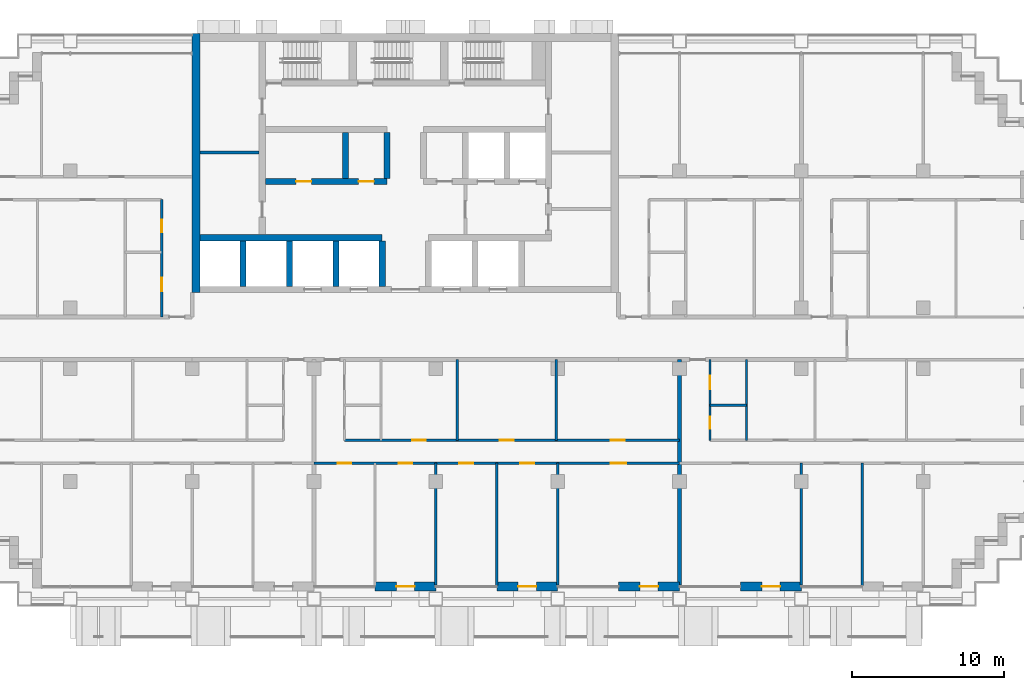
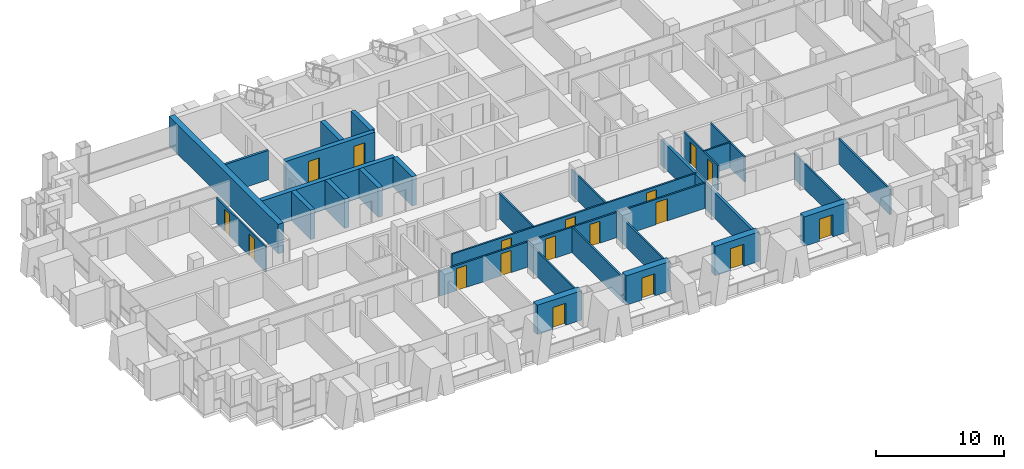
# One storey, part 10 of 18: 28 walls, 18 doors, 18 openings.
"""IFC4 building model written with IfcOpenShell, lengths in metres."""

from ifc_helpers import new_model, si_unit, direction, frame, frame_2d, origin, place, context, subcontext, project, spatial, rectangle, extrude, material, layer, layer_set, type_object, element, fill, save


model = new_model("IFC4")

# Units and contexts
model_context = context("Model", 3, precision=1e-05, world=origin(), true_north=direction((0.0, 1.0)))
body_context = subcontext(model_context, "Body", "Model", "MODEL_VIEW")
ifc_project = project(units=[si_unit("LENGTHUNIT", "METRE"), si_unit("AREAUNIT", "SQUARE_METRE"), si_unit("VOLUMEUNIT", "CUBIC_METRE"), si_unit("PLANEANGLEUNIT", "RADIAN"), si_unit("MASSUNIT", "GRAM", prefix="KILO")], contexts=[model_context])

# Site, building, storey
site_placement = place(None, origin())
site = spatial("IfcSite", under=ifc_project, at=site_placement, CompositionType="ELEMENT")
building_placement = place(site_placement, origin())
building = spatial("IfcBuilding", under=site, at=building_placement, Name="Vidyagriha Tower", CompositionType="ELEMENT")
storey_placement = place(building_placement, frame((0.0, 0.0, 103.10009765625)))
storey = spatial("IfcBuildingStorey", under=building, at=storey_placement, Name="L27", CompositionType="ELEMENT", Elevation=103.10009765625)

# Wall, opening, door
ifc_material_1 = material(Name="Precast concrete C40/50 with brick facing", Category="concrete")
ifc_layer_1 = layer(ifc_material_1, 0.60009765625)
ifc_layer_set_1 = layer_set([ifc_layer_1], Name="Precast concrete C40/50 with brick facing")
wall_type_1 = type_object("IfcWallType", Name="Brick-faced precast wall 600", PredefinedType="STANDARD", material=ifc_layer_set_1)
wall_1_placement = place(storey_placement, frame((-2.0, -16.300048828125, 0.0)))
wall_1 = element("IfcWall", 1, at=wall_1_placement, inside=storey, type_object=wall_type_1, Name="Brick door bay wall L27 R23.7", PredefinedType="STANDARD", context=body_context, shape_type="SweptSolid", body=[
    extrude(rectangle(XDim=4.0, YDim=0.60009765625, at=frame_2d((2.0, 0.0))), origin(), (0.0, 0.0, 1.0), 2.7998046875),
])
opening_1_placement = place(wall_1_placement, frame((1.39990234375, 0.0, 0.0)))
opening_1 = element("IfcOpeningElement", 2, at=opening_1_placement, cuts=wall_1, Name="Opening D27-72", PredefinedType="OPENING", context=body_context, shape_type="SweptSolid", body=[
    extrude(rectangle(XDim=1.199951171875, YDim=2.10009765625, at=frame_2d((0.60009765625, 1.050048828125))), frame((0.0, 0.31005859375, 0.0), z_axis=(0.0, -1.0, 0.0), x_axis=(1.0, 0.0, 0.0)), (0.0, 0.0, 1.0), 0.6201171875),
])
ifc_material_2 = material(Name="Aluminium framed glazed sliding door", Category="aluminium")
door_type_1 = type_object("IfcDoorType", Name="Balcony sliding door 1200x2100", OperationType="NOTDEFINED", PredefinedType="DOOR", material=ifc_material_2)
door_1_placement = place(opening_1_placement, origin())
door_1 = element("IfcDoor", 3, at=door_1_placement, inside=storey, type_object=door_type_1, Name="Door D27-72", OperationType="SLIDING_TO_LEFT", OverallHeight=2.10009765625, OverallWidth=1.199951171875, PredefinedType="DOOR", context=body_context, shape_type="SweptSolid", body=[
    extrude(rectangle(XDim=1.199951171875, YDim=2.10009765625, at=frame_2d((0.60009765625, 1.050048828125))), frame((0.0, 0.02490234375, 0.0), z_axis=(0.0, -1.0, 0.0), x_axis=(1.0, 0.0, 0.0)), (0.0, 0.0, 1.0), 0.050048828125),
])
fill(opening_1, door_1)

wall_2_placement = place(storey_placement, frame((6.0, -16.300048828125, 0.0)))
wall_2 = element("IfcWall", 4, at=wall_2_placement, inside=storey, type_object=wall_type_1, Name="Brick door bay wall L27 R23.9", PredefinedType="STANDARD", context=body_context, shape_type="SweptSolid", body=[
    extrude(rectangle(XDim=4.0, YDim=0.60009765625, at=frame_2d((2.0, 0.0))), origin(), (0.0, 0.0, 1.0), 2.7998046875),
])
opening_2_placement = place(wall_2_placement, frame((1.39990234375, 0.0, 0.0)))
opening_2 = element("IfcOpeningElement", 5, at=opening_2_placement, cuts=wall_2, Name="Opening D27-73", PredefinedType="OPENING", context=body_context, shape_type="SweptSolid", body=[
    extrude(rectangle(XDim=1.199951171875, YDim=2.10009765625, at=frame_2d((0.60009765625, 1.050048828125))), frame((0.0, 0.31005859375, 0.0), z_axis=(0.0, -1.0, 0.0), x_axis=(1.0, 0.0, 0.0)), (0.0, 0.0, 1.0), 0.6201171875),
])
door_2_placement = place(opening_2_placement, origin())
door_2 = element("IfcDoor", 6, at=door_2_placement, inside=storey, type_object=door_type_1, Name="Door D27-73", OperationType="SLIDING_TO_LEFT", OverallHeight=2.10009765625, OverallWidth=1.199951171875, PredefinedType="DOOR", context=body_context, shape_type="SweptSolid", body=[
    extrude(rectangle(XDim=1.199951171875, YDim=2.10009765625, at=frame_2d((0.60009765625, 1.050048828125))), frame((0.0, 0.02490234375, 0.0), z_axis=(0.0, -1.0, 0.0), x_axis=(1.0, 0.0, 0.0)), (0.0, 0.0, 1.0), 0.050048828125),
])
fill(opening_2, door_2)

wall_3_placement = place(storey_placement, frame((14.0, -16.300048828125, 0.0)))
wall_3 = element("IfcWall", 7, at=wall_3_placement, inside=storey, type_object=wall_type_1, Name="Brick door bay wall L27 R23.11", PredefinedType="STANDARD", context=body_context, shape_type="SweptSolid", body=[
    extrude(rectangle(XDim=4.0, YDim=0.60009765625, at=frame_2d((2.0, 0.0))), origin(), (0.0, 0.0, 1.0), 2.7998046875),
])
opening_3_placement = place(wall_3_placement, frame((1.39990234375, 0.0, 0.0)))
opening_3 = element("IfcOpeningElement", 8, at=opening_3_placement, cuts=wall_3, Name="Opening D27-74", PredefinedType="OPENING", context=body_context, shape_type="SweptSolid", body=[
    extrude(rectangle(XDim=1.199951171875, YDim=2.10009765625, at=frame_2d((0.60009765625, 1.050048828125))), frame((0.0, 0.31005859375, 0.0), z_axis=(0.0, -1.0, 0.0), x_axis=(1.0, 0.0, 0.0)), (0.0, 0.0, 1.0), 0.6201171875),
])
door_3_placement = place(opening_3_placement, origin())
door_3 = element("IfcDoor", 9, at=door_3_placement, inside=storey, type_object=door_type_1, Name="Door D27-74", OperationType="SLIDING_TO_LEFT", OverallHeight=2.10009765625, OverallWidth=1.199951171875, PredefinedType="DOOR", context=body_context, shape_type="SweptSolid", body=[
    extrude(rectangle(XDim=1.199951171875, YDim=2.10009765625, at=frame_2d((0.60009765625, 1.050048828125))), frame((0.0, 0.02490234375, 0.0), z_axis=(0.0, -1.0, 0.0), x_axis=(1.0, 0.0, 0.0)), (0.0, 0.0, 1.0), 0.050048828125),
])
fill(opening_3, door_3)

wall_4_placement = place(storey_placement, frame((22.0, -16.300048828125, 0.0)))
wall_4 = element("IfcWall", 10, at=wall_4_placement, inside=storey, type_object=wall_type_1, Name="Brick door bay wall L27 R23.13", PredefinedType="STANDARD", context=body_context, shape_type="SweptSolid", body=[
    extrude(rectangle(XDim=4.0, YDim=0.60009765625, at=frame_2d((2.0, 0.0))), origin(), (0.0, 0.0, 1.0), 2.7998046875),
])
opening_4_placement = place(wall_4_placement, frame((1.39990234375, 0.0, 0.0)))
opening_4 = element("IfcOpeningElement", 11, at=opening_4_placement, cuts=wall_4, Name="Opening D27-75", PredefinedType="OPENING", context=body_context, shape_type="SweptSolid", body=[
    extrude(rectangle(XDim=1.199951171875, YDim=2.10009765625, at=frame_2d((0.60009765625, 1.050048828125))), frame((0.0, 0.31005859375, 0.0), z_axis=(0.0, -1.0, 0.0), x_axis=(1.0, 0.0, 0.0)), (0.0, 0.0, 1.0), 0.6201171875),
])
door_4_placement = place(opening_4_placement, origin())
door_4 = element("IfcDoor", 12, at=door_4_placement, inside=storey, type_object=door_type_1, Name="Door D27-75", OperationType="SLIDING_TO_LEFT", OverallHeight=2.10009765625, OverallWidth=1.199951171875, PredefinedType="DOOR", context=body_context, shape_type="SweptSolid", body=[
    extrude(rectangle(XDim=1.199951171875, YDim=2.10009765625, at=frame_2d((0.60009765625, 1.050048828125))), frame((0.0, 0.02490234375, 0.0), z_axis=(0.0, -1.0, 0.0), x_axis=(1.0, 0.0, 0.0)), (0.0, 0.0, 1.0), 0.050048828125),
])
fill(opening_4, door_4)

# Walls
ifc_material_3 = material(Name="Concrete C60/75", Category="concrete")
ifc_layer_2 = layer(ifc_material_3, 0.39990234375)
ifc_layer_set_2 = layer_set([ifc_layer_2], Name="Concrete C60/75")
wall_type_2 = type_object("IfcWallType", Name="Core shear wall 400 mm", PredefinedType="SHEAR", material=ifc_layer_set_2)
wall_5_placement = place(storey_placement, frame((-13.5, 6.60009765625, 0.0)))
element("IfcWall", 13, at=wall_5_placement, inside=storey, type_object=wall_type_2, Name="Core lobby south wall west", PredefinedType="SHEAR", context=body_context, shape_type="SweptSolid", body=[
    extrude(rectangle(XDim=11.977783203125, YDim=0.39990234375, at=frame_2d((5.98876953125, 0.0))), origin(), (0.0, 0.0, 1.0), 2.7998046875),
])
for number, where, z_axis, x_axis, name in (
    (14, (-10.655517578125, 3.39990234375, 0.0), (0.0, 0.0, 1.0), (0.0, 1.0, 0.0), "Core bay wall S1"),
    (15, (-7.611083984375, 3.39990234375, 0.0), (0.0, 0.0, 1.0), (0.0, 1.0, 0.0), "Core bay wall S2"),
    (16, (-4.566650390625, 3.39990234375, 0.0), (0.0, 0.0, 1.0), (0.0, 1.0, 0.0), "Core bay wall S3"),
    (17, (-1.522216796875, 3.39990234375, 0.0), (0.0, 0.0, 1.0), (0.0, 1.0, 0.0), "Core bay wall S4"),
):
    element("IfcWall", number, at=place(storey_placement, frame(where, z_axis=z_axis, x_axis=x_axis)), inside=storey, type_object=wall_type_2, Name=name, PredefinedType="SHEAR", context=body_context, shape_type="SweptSolid", body=[
        extrude(rectangle(XDim=3.0, YDim=0.39990234375, at=frame_2d((1.5, 0.0))), origin(), (0.0, 0.0, 1.0), 2.7998046875),
    ])

# Wall, openings, doors
wall_6_placement = place(storey_placement, frame((-9.199951171875, 10.300048828125, 0.0)))
wall_6 = element("IfcWall", 18, at=wall_6_placement, inside=storey, type_object=wall_type_2, Name="Core row N front wall", PredefinedType="SHEAR", context=body_context, shape_type="SweptSolid", body=[
    extrude(rectangle(XDim=8.0, YDim=0.39990234375, at=frame_2d((4.0, 0.0))), origin(), (0.0, 0.0, 1.0), 2.7998046875),
])
opening_5_placement = place(wall_6_placement, frame((2.033203125, 0.0, 0.0)))
opening_5 = element("IfcOpeningElement", 19, at=opening_5_placement, cuts=wall_6, Name="Opening D27-02", PredefinedType="OPENING", context=body_context, shape_type="SweptSolid", body=[
    extrude(rectangle(XDim=1.0, YDim=2.10009765625, at=frame_2d((0.5, 1.050048828125))), frame((0.0, 0.2099609375, 0.0), z_axis=(0.0, -1.0, 0.0), x_axis=(1.0, 0.0, 0.0)), (0.0, 0.0, 1.0), 0.419921875),
])
opening_6_placement = place(wall_6_placement, frame((6.13330078125, 0.0, 0.0)))
opening_6 = element("IfcOpeningElement", 20, at=opening_6_placement, cuts=wall_6, Name="Opening D27-03", PredefinedType="OPENING", context=body_context, shape_type="SweptSolid", body=[
    extrude(rectangle(XDim=1.0, YDim=2.10009765625, at=frame_2d((0.5, 1.050048828125))), frame((0.0, 0.2099609375, 0.0), z_axis=(0.0, -1.0, 0.0), x_axis=(1.0, 0.0, 0.0)), (0.0, 0.0, 1.0), 0.419921875),
])
ifc_material_4 = material(Name="Hollow metal door leaf")
door_type_2 = type_object("IfcDoorType", Name="Core room door 1000 x 2100 mm EI 60", OperationType="NOTDEFINED", PredefinedType="DOOR", material=ifc_material_4)
door_5_placement = place(opening_5_placement, frame((1.0, 0.0, 0.0), z_axis=(0.0, 0.0, 1.0), x_axis=(-1.0, 0.0, 0.0)))
door_5 = element("IfcDoor", 21, at=door_5_placement, inside=storey, type_object=door_type_2, Name="Door Storage Room 27.14", OperationType="SINGLE_SWING_RIGHT", OverallHeight=2.10009765625, OverallWidth=1.0, PredefinedType="DOOR", context=body_context, shape_type="SweptSolid", body=[
    extrude(rectangle(XDim=1.0, YDim=2.10009765625, at=frame_2d((0.5, 1.050048828125))), frame((0.0, 0.02490234375, 0.0), z_axis=(0.0, -1.0, 0.0), x_axis=(1.0, 0.0, 0.0)), (0.0, 0.0, 1.0), 0.050048828125),
])
fill(opening_5, door_5)
door_6_placement = place(opening_6_placement, frame((1.0, 0.0, 0.0), z_axis=(0.0, 0.0, 1.0), x_axis=(-1.0, 0.0, 0.0)))
door_6 = element("IfcDoor", 22, at=door_6_placement, inside=storey, type_object=door_type_2, Name="Door Communications Room 27.15", OperationType="SINGLE_SWING_LEFT", OverallHeight=2.10009765625, OverallWidth=1.0, PredefinedType="DOOR", context=body_context, shape_type="SweptSolid", body=[
    extrude(rectangle(XDim=1.0, YDim=2.10009765625, at=frame_2d((0.5, 1.050048828125))), frame((0.0, 0.02490234375, 0.0), z_axis=(0.0, -1.0, 0.0), x_axis=(1.0, 0.0, 0.0)), (0.0, 0.0, 1.0), 0.050048828125),
])
fill(opening_6, door_6)

# Walls
for number, where, z_axis, x_axis, name in (
    (23, (-3.933349609375, 10.5, 0.0), (0.0, 0.0, 1.0), (0.0, 1.0, 0.0), "Core bay wall N2"),
    (24, (-1.199951171875, 10.5, 0.0), (0.0, 0.0, 1.0), (0.0, 1.0, 0.0), "Core bay wall N3"),
):
    element("IfcWall", number, at=place(storey_placement, frame(where, z_axis=z_axis, x_axis=x_axis)), inside=storey, type_object=wall_type_2, Name=name, PredefinedType="SHEAR", context=body_context, shape_type="SweptSolid", body=[
        extrude(rectangle(XDim=3.0, YDim=0.39990234375, at=frame_2d((1.5, 0.0))), origin(), (0.0, 0.0, 1.0), 2.7998046875),
    ])
ifc_material_5 = material(Name="Concrete C60/75", Category="concrete")
ifc_layer_3 = layer(ifc_material_5, 0.5)
ifc_layer_set_3 = layer_set([ifc_layer_3], Name="Concrete C60/75")
wall_type_3 = type_object("IfcWallType", Name="Core shear wall 500 mm", PredefinedType="SHEAR", material=ifc_layer_set_3)
wall_7_placement = place(storey_placement, frame((-13.75, 3.0, 0.0), z_axis=(0.0, 0.0, 1.0), x_axis=(0.0, 1.0, 0.0)))
element("IfcWall", 25, at=wall_7_placement, inside=storey, type_object=wall_type_3, Name="Core west wall", PredefinedType="SHEAR", context=body_context, shape_type="SweptSolid", body=[
    extrude(rectangle(XDim=17.0, YDim=0.5, at=frame_2d((8.5, 0.0))), origin(), (0.0, 0.0, 1.0), 2.7998046875),
])
ifc_material_6 = material(Name="Fired clay brick masonry", Category="masonry")
ifc_layer_4 = layer(ifc_material_6, 0.25)
ifc_layer_set_4 = layer_set([ifc_layer_4], Name="Fired clay brick masonry")
wall_type_4 = type_object("IfcWallType", Name="Fired clay brick demising wall 250", PredefinedType="PARTITIONING", material=ifc_layer_set_4)
wall_8_placement = place(storey_placement, frame((18.0, -1.39990234375, 0.0), z_axis=(0.0, 0.0, 1.0), x_axis=(0.0, -1.0, 0.0)))
element("IfcWall", 26, at=wall_8_placement, inside=storey, type_object=wall_type_4, Name="Wall all-L27-w066", PredefinedType="PARTITIONING", context=body_context, shape_type="SweptSolid", body=[
    extrude(rectangle(XDim=14.81005859375, YDim=0.25, at=frame_2d((7.405029296875, 0.0))), origin(), (0.0, 0.0, 1.0), 2.39990234375),
])
ifc_material_7 = material(Name="Gypsum board partition")
ifc_layer_5 = layer(ifc_material_7, 0.14990234375)
ifc_layer_set_5 = layer_set([ifc_layer_5], Name="Gypsum board partition")
wall_type_5 = type_object("IfcWallType", Name="Gypsum board partition 150", PredefinedType="PARTITIONING", material=ifc_layer_set_5)
for number, where, z_axis, x_axis, name in (
    (27, (3.39990234375, -1.39990234375, 0.0), (0.0, 0.0, 1.0), (0.0, -1.0, 0.0), "Wall all-L27-w028"),
    (28, (9.89990234375, -1.39990234375, 0.0), (0.0, 0.0, 1.0), (0.0, -1.0, 0.0), "Wall all-L27-w029"),
):
    element("IfcWall", number, at=place(storey_placement, frame(where, z_axis=z_axis, x_axis=x_axis)), inside=storey, type_object=wall_type_5, Name=name, PredefinedType="PARTITIONING", context=body_context, shape_type="SweptSolid", body=[
        extrude(rectangle(XDim=5.300048828125, YDim=0.14990234375, at=frame_2d((2.64990234375, 0.0))), origin(), (0.0, 0.0, 1.0), 2.39990234375),
    ])

# Wall, openings, doors
wall_9_placement = place(storey_placement, frame((-4.0, -6.699951171875, 0.0)))
wall_9 = element("IfcWall", 29, at=wall_9_placement, inside=storey, type_object=wall_type_5, Name="Wall all-L27-w030", PredefinedType="PARTITIONING", context=body_context, shape_type="SweptSolid", body=[
    extrude(rectangle(XDim=22.0, YDim=0.14990234375, at=frame_2d((11.0, 0.0))), origin(), (0.0, 0.0, 1.0), 2.39990234375),
])
opening_7_placement = place(wall_9_placement, frame((4.449951171875, 0.0, 0.0)))
opening_7 = element("IfcOpeningElement", 30, at=opening_7_placement, cuts=wall_9, Name="Opening D27-27", PredefinedType="OPENING", context=body_context, shape_type="SweptSolid", body=[
    extrude(rectangle(XDim=0.89990234375, YDim=2.10009765625, at=frame_2d((0.449951171875, 1.050048828125))), frame((0.0, 0.0849609375, 0.0), z_axis=(0.0, -1.0, 0.0), x_axis=(1.0, 0.0, 0.0)), (0.0, 0.0, 1.0), 0.169921875),
])
opening_8_placement = place(wall_9_placement, frame((10.199951171875, 0.0, 0.0)))
opening_8 = element("IfcOpeningElement", 31, at=opening_8_placement, cuts=wall_9, Name="Opening D27-28", PredefinedType="OPENING", context=body_context, shape_type="SweptSolid", body=[
    extrude(rectangle(XDim=0.89990234375, YDim=2.10009765625, at=frame_2d((0.449951171875, 1.050048828125))), frame((0.0, 0.0849609375, 0.0), z_axis=(0.0, -1.0, 0.0), x_axis=(1.0, 0.0, 0.0)), (0.0, 0.0, 1.0), 0.169921875),
])
opening_9_placement = place(wall_9_placement, frame((17.5, 0.0, 0.0)))
opening_9 = element("IfcOpeningElement", 32, at=opening_9_placement, cuts=wall_9, Name="Opening D27-29", PredefinedType="OPENING", context=body_context, shape_type="SweptSolid", body=[
    extrude(rectangle(XDim=0.89990234375, YDim=2.10009765625, at=frame_2d((0.449951171875, 1.050048828125))), frame((0.0, 0.0849609375, 0.0), z_axis=(0.0, -1.0, 0.0), x_axis=(1.0, 0.0, 0.0)), (0.0, 0.0, 1.0), 0.169921875),
])
ifc_material_8 = material(Name="Timber door leaf", Category="wood")
door_type_3 = type_object("IfcDoorType", Name="Room door 900x2100", OperationType="NOTDEFINED", PredefinedType="DOOR", material=ifc_material_8)
door_7_placement = place(opening_7_placement, origin())
door_7 = element("IfcDoor", 33, at=door_7_placement, inside=storey, type_object=door_type_3, Name="Door D27-27", OperationType="SINGLE_SWING_RIGHT", OverallHeight=2.10009765625, OverallWidth=0.89990234375, PredefinedType="DOOR", context=body_context, shape_type="SweptSolid", body=[
    extrude(rectangle(XDim=0.89990234375, YDim=2.10009765625, at=frame_2d((0.449951171875, 1.050048828125))), frame((0.0, 0.02490234375, 0.0), z_axis=(0.0, -1.0, 0.0), x_axis=(1.0, 0.0, 0.0)), (0.0, 0.0, 1.0), 0.050048828125),
])
fill(opening_7, door_7)
door_8_placement = place(opening_8_placement, origin())
door_8 = element("IfcDoor", 34, at=door_8_placement, inside=storey, type_object=door_type_3, Name="Door D27-28", OperationType="SINGLE_SWING_RIGHT", OverallHeight=2.10009765625, OverallWidth=0.89990234375, PredefinedType="DOOR", context=body_context, shape_type="SweptSolid", body=[
    extrude(rectangle(XDim=0.89990234375, YDim=2.10009765625, at=frame_2d((0.449951171875, 1.050048828125))), frame((0.0, 0.02490234375, 0.0), z_axis=(0.0, -1.0, 0.0), x_axis=(1.0, 0.0, 0.0)), (0.0, 0.0, 1.0), 0.050048828125),
])
fill(opening_8, door_8)
door_9_placement = place(opening_9_placement, origin())
door_9 = element("IfcDoor", 35, at=door_9_placement, inside=storey, type_object=door_type_3, Name="Door D27-29", OperationType="SINGLE_SWING_LEFT", OverallHeight=2.10009765625, OverallWidth=0.89990234375, PredefinedType="DOOR", context=body_context, shape_type="SweptSolid", body=[
    extrude(rectangle(XDim=0.89990234375, YDim=2.10009765625, at=frame_2d((0.449951171875, 1.050048828125))), frame((0.0, 0.02490234375, 0.0), z_axis=(0.0, -1.0, 0.0), x_axis=(1.0, 0.0, 0.0)), (0.0, 0.0, 1.0), 0.050048828125),
])
fill(opening_9, door_9)

wall_10_placement = place(storey_placement, frame((18.0, -8.199951171875, 0.0), z_axis=(0.0, 0.0, 1.0), x_axis=(-1.0, 0.0, 0.0)))
wall_10 = element("IfcWall", 36, at=wall_10_placement, inside=storey, type_object=wall_type_5, Name="Wall all-L27-w034", PredefinedType="PARTITIONING", context=body_context, shape_type="SweptSolid", body=[
    extrude(rectangle(XDim=24.0, YDim=0.14990234375, at=frame_2d((12.0, 0.0))), origin(), (0.0, 0.0, 1.0), 2.39990234375),
])
opening_10_placement = place(wall_10_placement, frame((21.550048828125, 0.0, 0.0)))
opening_10 = element("IfcOpeningElement", 37, at=opening_10_placement, cuts=wall_10, Name="Opening D27-30", PredefinedType="OPENING", context=body_context, shape_type="SweptSolid", body=[
    extrude(rectangle(XDim=0.89990234375, YDim=2.10009765625, at=frame_2d((0.449951171875, 1.050048828125))), frame((0.0, 0.0849609375, 0.0), z_axis=(0.0, -1.0, 0.0), x_axis=(1.0, 0.0, 0.0)), (0.0, 0.0, 1.0), 0.169921875),
])
opening_11_placement = place(wall_10_placement, frame((17.550048828125, 0.0, 0.0)))
opening_11 = element("IfcOpeningElement", 38, at=opening_11_placement, cuts=wall_10, Name="Opening D27-31", PredefinedType="OPENING", context=body_context, shape_type="SweptSolid", body=[
    extrude(rectangle(XDim=0.89990234375, YDim=2.10009765625, at=frame_2d((0.449951171875, 1.050048828125))), frame((0.0, 0.0849609375, 0.0), z_axis=(0.0, -1.0, 0.0), x_axis=(1.0, 0.0, 0.0)), (0.0, 0.0, 1.0), 0.169921875),
])
opening_12_placement = place(wall_10_placement, frame((13.550048828125, 0.0, 0.0)))
opening_12 = element("IfcOpeningElement", 39, at=opening_12_placement, cuts=wall_10, Name="Opening D27-32", PredefinedType="OPENING", context=body_context, shape_type="SweptSolid", body=[
    extrude(rectangle(XDim=0.89990234375, YDim=2.10009765625, at=frame_2d((0.449951171875, 1.050048828125))), frame((0.0, 0.0849609375, 0.0), z_axis=(0.0, -1.0, 0.0), x_axis=(1.0, 0.0, 0.0)), (0.0, 0.0, 1.0), 0.169921875),
])
opening_13_placement = place(wall_10_placement, frame((9.550048828125, 0.0, 0.0)))
opening_13 = element("IfcOpeningElement", 40, at=opening_13_placement, cuts=wall_10, Name="Opening D27-33", PredefinedType="OPENING", context=body_context, shape_type="SweptSolid", body=[
    extrude(rectangle(XDim=0.89990234375, YDim=2.10009765625, at=frame_2d((0.449951171875, 1.050048828125))), frame((0.0, 0.0849609375, 0.0), z_axis=(0.0, -1.0, 0.0), x_axis=(1.0, 0.0, 0.0)), (0.0, 0.0, 1.0), 0.169921875),
])
opening_14_placement = place(wall_10_placement, frame((3.5, 0.0, 0.0)))
opening_14 = element("IfcOpeningElement", 41, at=opening_14_placement, cuts=wall_10, Name="Opening D27-34", PredefinedType="OPENING", context=body_context, shape_type="SweptSolid", body=[
    extrude(rectangle(XDim=1.0, YDim=2.10009765625, at=frame_2d((0.5, 1.050048828125))), frame((0.0, 0.0849609375, 0.0), z_axis=(0.0, -1.0, 0.0), x_axis=(1.0, 0.0, 0.0)), (0.0, 0.0, 1.0), 0.169921875),
])
ifc_material_9 = material(Name="Timber door leaf", Category="wood")
door_type_4 = type_object("IfcDoorType", Name="Room door 1000x2100", OperationType="NOTDEFINED", PredefinedType="DOOR", material=ifc_material_9)
door_10_placement = place(opening_14_placement, origin())
door_10 = element("IfcDoor", 42, at=door_10_placement, inside=storey, type_object=door_type_4, Name="Door D27-34", OperationType="SINGLE_SWING_RIGHT", OverallHeight=2.10009765625, OverallWidth=1.0, PredefinedType="DOOR", context=body_context, shape_type="SweptSolid", body=[
    extrude(rectangle(XDim=1.0, YDim=2.10009765625, at=frame_2d((0.5, 1.050048828125))), frame((0.0, 0.02490234375, 0.0), z_axis=(0.0, -1.0, 0.0), x_axis=(1.0, 0.0, 0.0)), (0.0, 0.0, 1.0), 0.050048828125),
])
fill(opening_14, door_10)
door_11_placement = place(opening_10_placement, origin())
door_11 = element("IfcDoor", 43, at=door_11_placement, inside=storey, type_object=door_type_3, Name="Door D27-30", OperationType="SINGLE_SWING_RIGHT", OverallHeight=2.10009765625, OverallWidth=0.89990234375, PredefinedType="DOOR", context=body_context, shape_type="SweptSolid", body=[
    extrude(rectangle(XDim=0.89990234375, YDim=2.10009765625, at=frame_2d((0.449951171875, 1.050048828125))), frame((0.0, 0.02490234375, 0.0), z_axis=(0.0, -1.0, 0.0), x_axis=(1.0, 0.0, 0.0)), (0.0, 0.0, 1.0), 0.050048828125),
])
fill(opening_10, door_11)
door_12_placement = place(opening_11_placement, origin())
door_12 = element("IfcDoor", 44, at=door_12_placement, inside=storey, type_object=door_type_3, Name="Door D27-31", OperationType="SINGLE_SWING_RIGHT", OverallHeight=2.10009765625, OverallWidth=0.89990234375, PredefinedType="DOOR", context=body_context, shape_type="SweptSolid", body=[
    extrude(rectangle(XDim=0.89990234375, YDim=2.10009765625, at=frame_2d((0.449951171875, 1.050048828125))), frame((0.0, 0.02490234375, 0.0), z_axis=(0.0, -1.0, 0.0), x_axis=(1.0, 0.0, 0.0)), (0.0, 0.0, 1.0), 0.050048828125),
])
fill(opening_11, door_12)
door_13_placement = place(opening_12_placement, origin())
door_13 = element("IfcDoor", 45, at=door_13_placement, inside=storey, type_object=door_type_3, Name="Door D27-32", OperationType="SINGLE_SWING_RIGHT", OverallHeight=2.10009765625, OverallWidth=0.89990234375, PredefinedType="DOOR", context=body_context, shape_type="SweptSolid", body=[
    extrude(rectangle(XDim=0.89990234375, YDim=2.10009765625, at=frame_2d((0.449951171875, 1.050048828125))), frame((0.0, 0.02490234375, 0.0), z_axis=(0.0, -1.0, 0.0), x_axis=(1.0, 0.0, 0.0)), (0.0, 0.0, 1.0), 0.050048828125),
])
fill(opening_12, door_13)
door_14_placement = place(opening_13_placement, origin())
door_14 = element("IfcDoor", 46, at=door_14_placement, inside=storey, type_object=door_type_3, Name="Door D27-33", OperationType="SINGLE_SWING_RIGHT", OverallHeight=2.10009765625, OverallWidth=0.89990234375, PredefinedType="DOOR", context=body_context, shape_type="SweptSolid", body=[
    extrude(rectangle(XDim=0.89990234375, YDim=2.10009765625, at=frame_2d((0.449951171875, 1.050048828125))), frame((0.0, 0.02490234375, 0.0), z_axis=(0.0, -1.0, 0.0), x_axis=(1.0, 0.0, 0.0)), (0.0, 0.0, 1.0), 0.050048828125),
])
fill(opening_13, door_14)

# Walls
wall_11_placement = place(storey_placement, frame((2.0, -8.199951171875, 0.0), z_axis=(0.0, 0.0, 1.0), x_axis=(0.0, -1.0, 0.0)))
element("IfcWall", 47, at=wall_11_placement, inside=storey, type_object=wall_type_5, Name="Wall all-L27-w041", PredefinedType="PARTITIONING", context=body_context, shape_type="SweptSolid", body=[
    extrude(rectangle(XDim=8.010009765625, YDim=0.14990234375, at=frame_2d((4.0048828125, 0.0))), origin(), (0.0, 0.0, 1.0), 2.39990234375),
])
wall_12_placement = place(storey_placement, frame((6.0, -8.199951171875, 0.0), z_axis=(0.0, 0.0, 1.0), x_axis=(0.0, -1.0, 0.0)))
element("IfcWall", 48, at=wall_12_placement, inside=storey, type_object=wall_type_5, Name="Wall all-L27-w042", PredefinedType="PARTITIONING", context=body_context, shape_type="SweptSolid", body=[
    extrude(rectangle(XDim=8.02099609375, YDim=0.14990234375, at=frame_2d((4.010498046875, 0.0))), origin(), (0.0, 0.0, 1.0), 2.39990234375),
])
wall_13_placement = place(storey_placement, frame((10.0, -8.199951171875, 0.0), z_axis=(0.0, 0.0, 1.0), x_axis=(0.0, -1.0, 0.0)))
element("IfcWall", 49, at=wall_13_placement, inside=storey, type_object=wall_type_5, Name="Wall all-L27-w043", PredefinedType="PARTITIONING", context=body_context, shape_type="SweptSolid", body=[
    extrude(rectangle(XDim=8.010009765625, YDim=0.14990234375, at=frame_2d((4.0048828125, 0.0))), origin(), (0.0, 0.0, 1.0), 2.39990234375),
])
wall_14_placement = place(storey_placement, frame((22.39990234375, -4.39990234375, 0.0), z_axis=(0.0, 0.0, 1.0), x_axis=(-1.0, 0.0, 0.0)))
element("IfcWall", 50, at=wall_14_placement, inside=storey, type_object=wall_type_5, Name="Wall all-L27-w049", PredefinedType="PARTITIONING", context=body_context, shape_type="SweptSolid", body=[
    extrude(rectangle(XDim=2.39990234375, YDim=0.14990234375, at=frame_2d((1.199951171875, 0.0))), origin(), (0.0, 0.0, 1.0), 2.39990234375),
])
wall_15_placement = place(storey_placement, frame((22.39990234375, -1.39990234375, 0.0), z_axis=(0.0, 0.0, 1.0), x_axis=(0.0, -1.0, 0.0)))
element("IfcWall", 51, at=wall_15_placement, inside=storey, type_object=wall_type_5, Name="Wall all-L27-w050", PredefinedType="PARTITIONING", context=body_context, shape_type="SweptSolid", body=[
    extrude(rectangle(XDim=5.300048828125, YDim=0.14990234375, at=frame_2d((2.64990234375, 0.0))), origin(), (0.0, 0.0, 1.0), 2.39990234375),
])
wall_16_placement = place(storey_placement, frame((26.0, -8.199951171875, 0.0), z_axis=(0.0, 0.0, 1.0), x_axis=(0.0, -1.0, 0.0)))
element("IfcWall", 52, at=wall_16_placement, inside=storey, type_object=wall_type_5, Name="Wall all-L27-w062", PredefinedType="PARTITIONING", context=body_context, shape_type="SweptSolid", body=[
    extrude(rectangle(XDim=8.010009765625, YDim=0.14990234375, at=frame_2d((4.0048828125, 0.0))), origin(), (0.0, 0.0, 1.0), 2.39990234375),
])
wall_17_placement = place(storey_placement, frame((30.0, -8.199951171875, 0.0), z_axis=(0.0, 0.0, 1.0), x_axis=(0.0, -1.0, 0.0)))
element("IfcWall", 53, at=wall_17_placement, inside=storey, type_object=wall_type_5, Name="Wall all-L27-w063", PredefinedType="PARTITIONING", context=body_context, shape_type="SweptSolid", body=[
    extrude(rectangle(XDim=8.02099609375, YDim=0.14990234375, at=frame_2d((4.010498046875, 0.0))), origin(), (0.0, 0.0, 1.0), 2.39990234375),
])

# Wall, openings, doors
ifc_material_10 = material(Name="Moisture resistant gypsum board partition")
ifc_layer_6 = layer(ifc_material_10, 0.14990234375)
ifc_layer_set_6 = layer_set([ifc_layer_6], Name="Moisture resistant gypsum board partition")
wall_type_6 = type_object("IfcWallType", Name="Gypsum board wet-area partition 150", PredefinedType="PARTITIONING", material=ifc_layer_set_6)
wall_18_placement = place(storey_placement, frame((20.0, -1.39990234375, 0.0), z_axis=(0.0, 0.0, 1.0), x_axis=(0.0, -1.0, 0.0)))
wall_18 = element("IfcWall", 54, at=wall_18_placement, inside=storey, type_object=wall_type_6, Name="Wall all-L27-w046", PredefinedType="PARTITIONING", context=body_context, shape_type="SweptSolid", body=[
    extrude(rectangle(XDim=5.300048828125, YDim=0.14990234375, at=frame_2d((2.64990234375, 0.0))), origin(), (0.0, 0.0, 1.0), 2.39990234375),
])
opening_15_placement = place(wall_18_placement, frame((1.050048828125, 0.0, 0.0)))
opening_15 = element("IfcOpeningElement", 55, at=opening_15_placement, cuts=wall_18, Name="Opening D27-36", PredefinedType="OPENING", context=body_context, shape_type="SweptSolid", body=[
    extrude(rectangle(XDim=0.89990234375, YDim=2.10009765625, at=frame_2d((0.449951171875, 1.050048828125))), frame((0.0, 0.0849609375, 0.0), z_axis=(0.0, -1.0, 0.0), x_axis=(1.0, 0.0, 0.0)), (0.0, 0.0, 1.0), 0.169921875),
])
opening_16_placement = place(wall_18_placement, frame((3.75, 0.0, 0.0)))
opening_16 = element("IfcOpeningElement", 56, at=opening_16_placement, cuts=wall_18, Name="Opening D27-37", PredefinedType="OPENING", context=body_context, shape_type="SweptSolid", body=[
    extrude(rectangle(XDim=0.800048828125, YDim=2.10009765625, at=frame_2d((0.39990234375, 1.050048828125))), frame((0.0, 0.0849609375, 0.0), z_axis=(0.0, -1.0, 0.0), x_axis=(1.0, 0.0, 0.0)), (0.0, 0.0, 1.0), 0.169921875),
])
ifc_material_11 = material(Name="Timber door leaf", Category="wood")
door_type_5 = type_object("IfcDoorType", Name="Bathroom door 800x2100", OperationType="NOTDEFINED", PredefinedType="DOOR", material=ifc_material_11)
door_15_placement = place(opening_16_placement, origin())
door_15 = element("IfcDoor", 57, at=door_15_placement, inside=storey, type_object=door_type_5, Name="Door D27-37", OperationType="SINGLE_SWING_RIGHT", OverallHeight=2.10009765625, OverallWidth=0.800048828125, PredefinedType="DOOR", context=body_context, shape_type="SweptSolid", body=[
    extrude(rectangle(XDim=0.800048828125, YDim=2.10009765625, at=frame_2d((0.39990234375, 1.050048828125))), frame((0.0, 0.02490234375, 0.0), z_axis=(0.0, -1.0, 0.0), x_axis=(1.0, 0.0, 0.0)), (0.0, 0.0, 1.0), 0.050048828125),
])
fill(opening_16, door_15)
ifc_material_12 = material(Name="Timber door leaf", Category="wood")
door_type_6 = type_object("IfcDoorType", Name="Kitchen door 900x2100", OperationType="NOTDEFINED", PredefinedType="DOOR", material=ifc_material_12)
door_16_placement = place(opening_15_placement, origin())
door_16 = element("IfcDoor", 58, at=door_16_placement, inside=storey, type_object=door_type_6, Name="Door D27-36", OperationType="SINGLE_SWING_LEFT", OverallHeight=2.10009765625, OverallWidth=0.89990234375, PredefinedType="DOOR", context=body_context, shape_type="SweptSolid", body=[
    extrude(rectangle(XDim=0.89990234375, YDim=2.10009765625, at=frame_2d((0.449951171875, 1.050048828125))), frame((0.0, 0.02490234375, 0.0), z_axis=(0.0, -1.0, 0.0), x_axis=(1.0, 0.0, 0.0)), (0.0, 0.0, 1.0), 0.050048828125),
])
fill(opening_15, door_16)

wall_19_placement = place(storey_placement, frame((-16.0, 1.39990234375, 0.0), z_axis=(0.0, 0.0, 1.0), x_axis=(0.0, 1.0, 0.0)))
wall_19 = element("IfcWall", 59, at=wall_19_placement, inside=storey, type_object=wall_type_6, Name="Wall all-L27-w070", PredefinedType="PARTITIONING", context=body_context, shape_type="SweptSolid", body=[
    extrude(rectangle(XDim=7.7001953125, YDim=0.14990234375, at=frame_2d((3.85009765625, 0.0))), origin(), (0.0, 0.0, 1.0), 2.39990234375),
])
opening_17_placement = place(wall_19_placement, frame((1.675048828125, 0.0, 0.0)))
opening_17 = element("IfcOpeningElement", 60, at=opening_17_placement, cuts=wall_19, Name="Opening D27-46", PredefinedType="OPENING", context=body_context, shape_type="SweptSolid", body=[
    extrude(rectangle(XDim=0.89990234375, YDim=2.10009765625, at=frame_2d((0.449951171875, 1.050048828125))), frame((0.0, 0.0849609375, 0.0), z_axis=(0.0, -1.0, 0.0), x_axis=(1.0, 0.0, 0.0)), (0.0, 0.0, 1.0), 0.169921875),
])
opening_18_placement = place(wall_19_placement, frame((5.574951171875, 0.0, 0.0)))
opening_18 = element("IfcOpeningElement", 61, at=opening_18_placement, cuts=wall_19, Name="Opening D27-47", PredefinedType="OPENING", context=body_context, shape_type="SweptSolid", body=[
    extrude(rectangle(XDim=0.800048828125, YDim=2.10009765625, at=frame_2d((0.39990234375, 1.050048828125))), frame((0.0, 0.0849609375, 0.0), z_axis=(0.0, -1.0, 0.0), x_axis=(1.0, 0.0, 0.0)), (0.0, 0.0, 1.0), 0.169921875),
])
door_17_placement = place(opening_18_placement, origin())
door_17 = element("IfcDoor", 62, at=door_17_placement, inside=storey, type_object=door_type_5, Name="Door D27-47", OperationType="SINGLE_SWING_RIGHT", OverallHeight=2.10009765625, OverallWidth=0.800048828125, PredefinedType="DOOR", context=body_context, shape_type="SweptSolid", body=[
    extrude(rectangle(XDim=0.800048828125, YDim=2.10009765625, at=frame_2d((0.39990234375, 1.050048828125))), frame((0.0, 0.02490234375, 0.0), z_axis=(0.0, -1.0, 0.0), x_axis=(1.0, 0.0, 0.0)), (0.0, 0.0, 1.0), 0.050048828125),
])
fill(opening_18, door_17)
door_18_placement = place(opening_17_placement, origin())
door_18 = element("IfcDoor", 63, at=door_18_placement, inside=storey, type_object=door_type_6, Name="Door D27-46", OperationType="SINGLE_SWING_LEFT", OverallHeight=2.10009765625, OverallWidth=0.89990234375, PredefinedType="DOOR", context=body_context, shape_type="SweptSolid", body=[
    extrude(rectangle(XDim=0.89990234375, YDim=2.10009765625, at=frame_2d((0.449951171875, 1.050048828125))), frame((0.0, 0.02490234375, 0.0), z_axis=(0.0, -1.0, 0.0), x_axis=(1.0, 0.0, 0.0)), (0.0, 0.0, 1.0), 0.050048828125),
])
fill(opening_17, door_18)

# Wall
ifc_material_13 = material(Name="Blockwork 15 MPa", Category="masonry")
ifc_layer_7 = layer(ifc_material_13, 0.199951171875)
ifc_layer_set_7 = layer_set([ifc_layer_7], Name="Blockwork 15 MPa")
wall_type_7 = type_object("IfcWallType", Name="Service room partition 200 mm", PredefinedType="PARTITIONING", material=ifc_layer_set_7)
wall_20_placement = place(storey_placement, frame((-13.5, 12.199951171875, 0.0)))
element("IfcWall", 64, at=wall_20_placement, inside=storey, type_object=wall_type_7, Name="Core room partition W1", PredefinedType="PARTITIONING", context=body_context, shape_type="SweptSolid", body=[
    extrude(rectangle(XDim=3.89990234375, YDim=0.199951171875, at=frame_2d((1.949951171875, 0.0))), origin(), (0.0, 0.0, 1.0), 2.7998046875),
])

save(model, "model.ifc")
